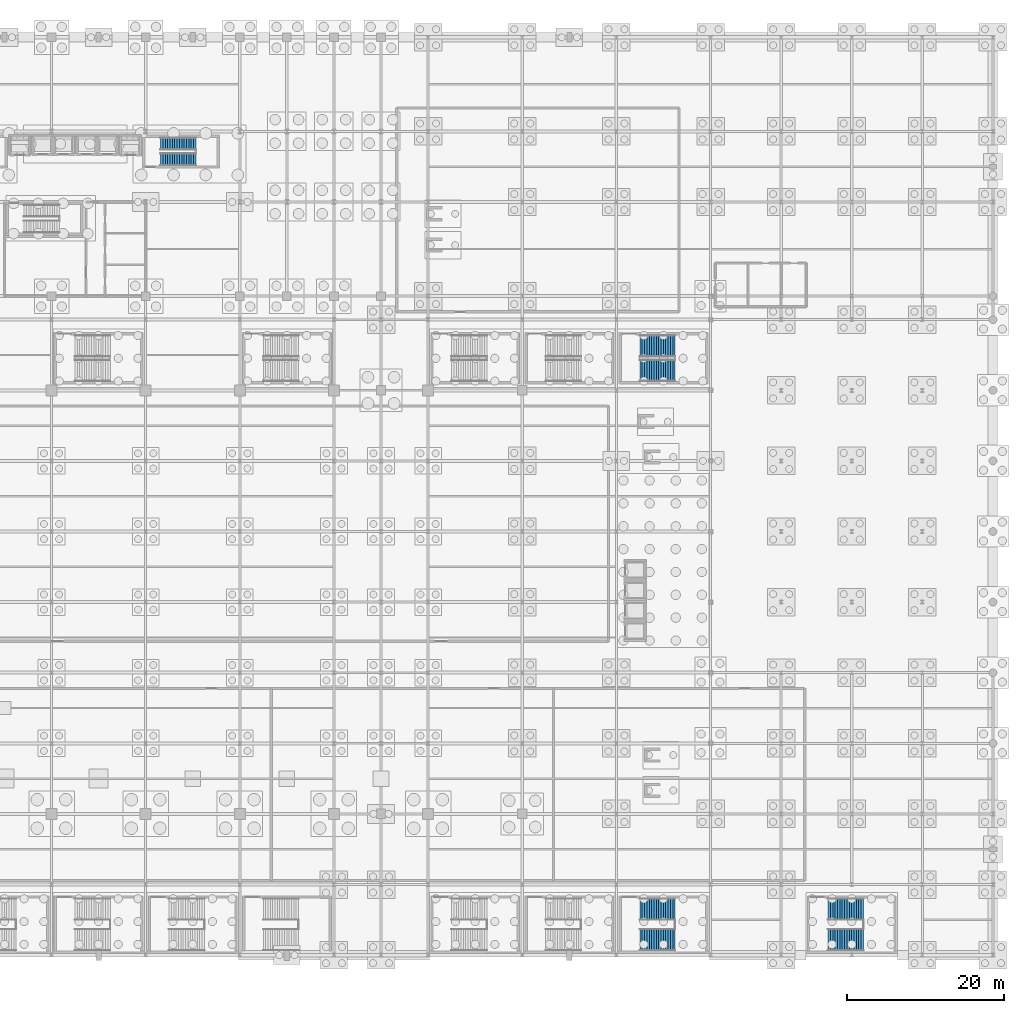
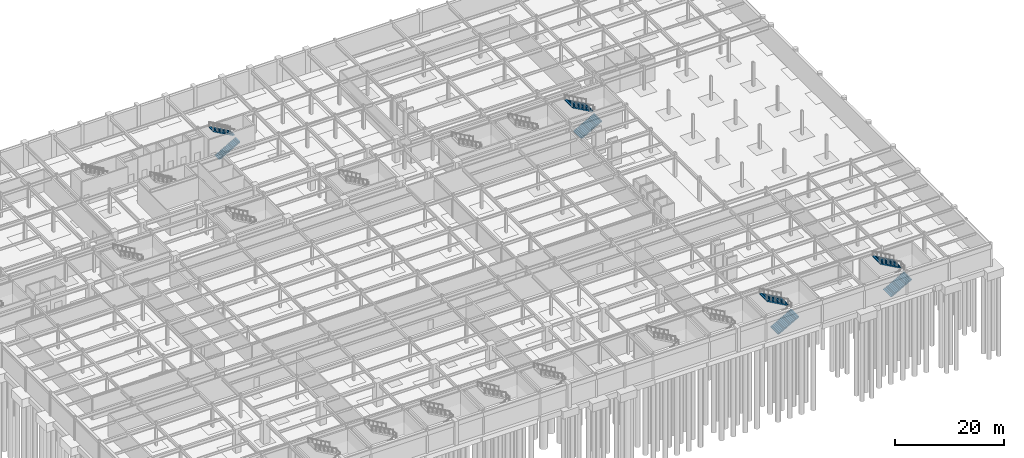
# One storey, part 38 of 47: 8 stair flights, 4 elements without a shape of their own.
"""IFC4 building model written with IfcOpenShell, lengths in metres."""

import ifcopenshell
import ifcopenshell.guid

model = None  # the IFC model being written
_history = None  # IfcOwnerHistory: only IFC2X3 demands one
_inside = {}  # id of a spatial element -> (the spatial element, [elements in it])
_under = {}  # id of a project, library or spatial element -> (it, [spatial elements below it])
_declared = {}  # id of a project -> (the project, [libraries it declares])
_typed = {}  # id of a type object -> (the type object, [elements of that type])
_made_of = {}  # id of a material, layer set ... -> (it, [elements and type objects made of it])


def new_model(schema):
    """Start an empty IFC model of exactly this schema.

    Asked for "IFC4X3", IfcOpenShell would pick the latest addendum, in which some entities
    have other attributes; the version numbers below select the first issue.
    IFC2X3 requires an IfcOwnerHistory on every rooted entity: one is made here for all.
    """
    global model, _history
    if schema == "IFC4X3":
        model = ifcopenshell.file(schema_version=(4, 3, 0, 0))
    else:
        model = ifcopenshell.file(schema=schema)
    _inside.clear()
    _under.clear()
    _declared.clear()
    _typed.clear()
    _made_of.clear()
    _history = None
    if model.schema == "IFC2X3":
        org = make("IfcOrganization", Name="unknown")
        user = make(
            "IfcPersonAndOrganization",
            ThePerson=make("IfcPerson", FamilyName="unknown"),
            TheOrganization=org,
        )
        app = make(
            "IfcApplication",
            ApplicationDeveloper=org,
            Version="unknown",
            ApplicationFullName="unknown",
            ApplicationIdentifier="unknown",
        )
        _history = make(
            "IfcOwnerHistory",
            OwningUser=user,
            OwningApplication=app,
            ChangeAction="ADDED",
            CreationDate=0,
        )
    return model


def make(cls, **values):
    """One entity of the class cls with the attributes given. An attribute that is None is left unset."""
    return model.create_entity(
        cls, **{name: value for name, value in values.items() if value is not None}
    )


def rooted(cls, **values):
    """An entity with a GlobalId (a new one), such as an element, a storey or a relation."""
    return make(cls, GlobalId=ifcopenshell.guid.new(), OwnerHistory=_history, **values)


def si_unit(unit_type, name, prefix=None):
    """IfcSIUnit, for example si_unit("LENGTHUNIT", "METRE", prefix="MILLI")."""
    return make("IfcSIUnit", UnitType=unit_type, Prefix=prefix, Name=name)


def assignment(units):
    """IfcUnitAssignment: the units of a project."""
    return None if units is None else make("IfcUnitAssignment", Units=units)


def point(xyz):
    """IfcCartesianPoint."""
    return None if xyz is None else make("IfcCartesianPoint", Coordinates=xyz)


def direction(xyz):
    """IfcDirection."""
    return None if xyz is None else make("IfcDirection", DirectionRatios=xyz)


def frame(location, z_axis=None, x_axis=None):
    """IfcAxis2Placement3D, a coordinate frame: its origin and axes. An axis left out is left unset."""
    return make(
        "IfcAxis2Placement3D",
        Location=point(location),
        Axis=direction(z_axis),
        RefDirection=direction(x_axis),
    )


def origin():
    """The frame at (0, 0, 0) with its axes left unset."""
    return frame((0.0, 0.0, 0.0))


def place(relative_to, where):
    """IfcLocalPlacement: puts the frame where relative to a parent placement (None: the world)."""
    return make(
        "IfcLocalPlacement", PlacementRelTo=relative_to, RelativePlacement=where
    )


def context(
    kind, dimensions, precision=None, world=None, true_north=None, identifier=None
):
    """IfcGeometricRepresentationContext, for example the 3D "Model" context."""
    return make(
        "IfcGeometricRepresentationContext",
        ContextIdentifier=identifier,
        ContextType=kind,
        CoordinateSpaceDimension=dimensions,
        Precision=precision,
        WorldCoordinateSystem=world,
        TrueNorth=true_north,
    )


def subcontext(parent, identifier, kind, view, scale=None):
    """IfcGeometricRepresentationSubContext, for example "Body" below "Model"."""
    return make(
        "IfcGeometricRepresentationSubContext",
        ContextIdentifier=identifier,
        ContextType=kind,
        ParentContext=parent,
        TargetScale=scale,
        TargetView=view,
    )


def project(units=None, contexts=None):
    """IfcProject with its units and contexts."""
    return rooted(
        "IfcProject",
        Name="project",
        RepresentationContexts=contexts,
        UnitsInContext=assignment(units),
    )


def spatial(cls, under=None, at=None, **own):
    """A site, building, storey or space (cls), placed at a placement, below another one or the project."""
    s = rooted(cls, ObjectPlacement=at, **own)
    if under is not None:
        _under.setdefault(under.id(), (under, []))[1].append(s)
    return s


def polyline(points):
    """IfcPolyline through the points."""
    return make("IfcPolyline", Points=[point(p) for p in points])


def outline(outer, holes=None, kind="AREA"):
    """IfcArbitraryClosedProfileDef: a profile drawn as a closed curve; with holes, ...WithVoids."""
    if holes is None:
        return make("IfcArbitraryClosedProfileDef", ProfileType=kind, OuterCurve=outer)
    return make(
        "IfcArbitraryProfileDefWithVoids",
        ProfileType=kind,
        OuterCurve=outer,
        InnerCurves=holes,
    )


def extrude(swept, where, along, depth):
    """IfcExtrudedAreaSolid: the profile swept, set in the frame where, extruded along a direction by depth."""
    return make(
        "IfcExtrudedAreaSolid",
        SweptArea=swept,
        Position=where,
        ExtrudedDirection=direction(along),
        Depth=depth,
    )


def shape(context_of_items, identifier, shape_type, items):
    """IfcShapeRepresentation: the items that make up one representation, for example the "Body"."""
    return make(
        "IfcShapeRepresentation",
        ContextOfItems=context_of_items,
        RepresentationIdentifier=identifier,
        RepresentationType=shape_type,
        Items=items,
    )


def material(Name=None, Category=None):
    """IfcMaterial."""
    return make("IfcMaterial", Name=Name, Category=Category)


def made_of(thing, what):
    """Note that an element or type object is made of a material, layer set ...; save() writes the relation."""
    if what is not None:
        _made_of.setdefault(what.id(), (what, []))[1].append(thing)
    return thing


def type_object(cls, material=None, **own):
    """A type object (cls), such as IfcWallType, which elements share."""
    return made_of(rooted(cls, **own), material)


def element(
    cls,
    number,
    at=None,
    inside=None,
    cuts=None,
    type_object=None,
    material=None,
    context=None,
    identifier="Body",
    shape_type=None,
    held_by="IfcProductDefinitionShape",
    body=None,
    shapes=None,
    **own,
):
    """One element of the class cls, such as IfcWall. Its Tag is "e" and its number.

    at: its placement. inside: the storey or other place that contains it. cuts: it is an
    opening in that element (IfcRelVoidsElement). A single representation is given by context,
    identifier, shape_type and body (its items); several are given by shapes. held_by: the class
    of the entity that holds the representations. save() writes the other relations.
    """
    e = rooted(cls, Tag="e%d" % number, ObjectPlacement=at, **own)
    if body is not None:
        shapes = [shape(context, identifier, shape_type, body)]
    if shapes is not None:
        e.Representation = make(held_by, Representations=shapes)
    if inside is not None:
        _inside.setdefault(inside.id(), (inside, []))[1].append(e)
    if cuts is not None:
        rooted(
            "IfcRelVoidsElement", RelatingBuildingElement=cuts, RelatedOpeningElement=e
        )
    if type_object is not None:
        _typed.setdefault(type_object.id(), (type_object, []))[1].append(e)
    return made_of(e, material)


def aggregate(whole, parts):
    """IfcRelAggregates: a whole, such as a stair, and the parts it consists of."""
    return rooted("IfcRelAggregates", RelatingObject=whole, RelatedObjects=parts)


def save(model, path):
    """Write the relations noted so far, then the file.

    IfcRelAggregates (storeys below a building ...), IfcRelContainedInSpatialStructure (elements
    in a storey), IfcRelDefinesByType, IfcRelAssociatesMaterial and IfcRelDeclares: one each for
    every whole, place, type object, material and project.
    """
    for whole, parts in _under.values():
        aggregate(whole, parts)
    for where, things in _inside.values():
        rooted(
            "IfcRelContainedInSpatialStructure",
            RelatedElements=things,
            RelatingStructure=where,
        )
    for kind, things in _typed.values():
        rooted("IfcRelDefinesByType", RelatedObjects=things, RelatingType=kind)
    for what, things in _made_of.values():
        rooted("IfcRelAssociatesMaterial", RelatedObjects=things, RelatingMaterial=what)
    for by, libraries in _declared.values():
        rooted("IfcRelDeclares", RelatingContext=by, RelatedDefinitions=libraries)
    model.write(path)


model = new_model("IFC4")

# Units and contexts
model_context = context("Model", 3, precision=1e-05, world=origin(), true_north=direction((0.0, 1.0)))
body_context = subcontext(model_context, "Body", "Model", "MODEL_VIEW")
ifc_project = project(units=[si_unit("LENGTHUNIT", "METRE"), si_unit("AREAUNIT", "SQUARE_METRE"), si_unit("VOLUMEUNIT", "CUBIC_METRE"), si_unit("PLANEANGLEUNIT", "RADIAN"), si_unit("MASSUNIT", "GRAM", prefix="KILO")], contexts=[model_context])

# Site, building, storey
site_placement = place(None, origin())
site = spatial("IfcSite", under=ifc_project, at=site_placement, CompositionType="ELEMENT")
building_placement = place(site_placement, origin())
building = spatial("IfcBuilding", under=site, at=building_placement, Name="Kaldorvane Square Convention Centre", CompositionType="ELEMENT")
storey_placement = place(building_placement, frame((0.0, 0.0, -5.399993896484375)))
storey = spatial("IfcBuildingStorey", under=building, at=storey_placement, Name="B01", CompositionType="ELEMENT", Elevation=-5.399993896484375)

# Stair, stair flights
ifc_material = material(Name="Concrete f'c = 42 MPa (Normalweight)", Category="concrete")
stair_type_1 = type_object("IfcStairType", Name="ST-DL-1600-5400", PredefinedType="HALF_TURN_STAIR", material=ifc_material)
stair_1_placement = place(storey_placement, origin())
stair_1 = element("IfcStair", 1, at=stair_1_placement, inside=storey, type_object=stair_type_1, Name="Tower Exit Stair T2 (B01)", PredefinedType="HALF_TURN_STAIR")
stair_flight_type_1 = type_object("IfcStairFlightType", Name="SF-STR-1600-16R", PredefinedType="STRAIGHT", material=ifc_material)
stair_flight_1_placement = place(storey_placement, frame((67.89999389648438, 101.41000366210938, 0.0), z_axis=(0.0, 0.0, 1.0), x_axis=(1.0, 0.0, 0.0)))
stair_flight_1 = element("IfcStairFlight", 2, at=stair_flight_1_placement, type_object=stair_flight_type_1, Name="Tower Exit Stair T2 Flight 1 (B01)", NumberOfRisers=16, NumberOfTreads=15, PredefinedType="STRAIGHT", RiserHeight=0.16875, TreadLength=0.3, context=body_context, shape_type="SweptSolid", body=[
    extrude(outline(polyline([(0.0, 0.0), (0.0, 0.1687469482421875), (0.3000030517578125, 0.1687469482421875), (0.3000030517578125, 0.337493896484375), (0.600006103515625, 0.337493896484375), (0.600006103515625, 0.506256103515625), (0.899993896484375, 0.506256103515625), (0.899993896484375, 0.6750030517578125), (1.1999969482421875, 0.6750030517578125), (1.1999969482421875, 0.84375), (1.5, 0.84375), (1.5, 1.0124969482421875), (1.8000030517578125, 1.0124969482421875), (1.8000030517578125, 1.181243896484375), (2.100006103515625, 1.181243896484375), (2.100006103515625, 1.350006103515625), (2.399993896484375, 1.350006103515625), (2.399993896484375, 1.5187530517578125), (2.6999969482421875, 1.5187530517578125), (2.6999969482421875, 1.6875), (3.0, 1.6875), (3.0, 1.8562469482421875), (3.3000030517578125, 1.8562469482421875), (3.3000030517578125, 2.024993896484375), (3.600006103515625, 2.024993896484375), (3.600006103515625, 2.193756103515625), (3.899993896484375, 2.193756103515625), (3.899993896484375, 2.3625030517578125), (4.1999969482421875, 2.3625030517578125), (4.1999969482421875, 2.53125), (4.5, 2.53125), (4.5, 2.6999969482421875), (4.5, 2.301788330078125), (0.4079437255859375, 0.0), (0.0, 0.0)])), frame((0.0, 0.8000030517578125, 0.0), z_axis=(0.0, -1.0, 0.0), x_axis=(1.0, 0.0, 0.0)), (0.0, 0.0, 1.0), 1.600006103515625),
])
stair_flight_2_placement = place(storey_placement, frame((72.39999389648438, 103.44999694824219, 2.6999969482421875), z_axis=(0.0, 0.0, 1.0), x_axis=(-1.0, 0.0, 0.0)))
stair_flight_2 = element("IfcStairFlight", 3, at=stair_flight_2_placement, type_object=stair_flight_type_1, Name="Tower Exit Stair T2 Flight 2 (B01)", NumberOfRisers=16, NumberOfTreads=15, PredefinedType="STRAIGHT", RiserHeight=0.16875, TreadLength=0.3, context=body_context, shape_type="SweptSolid", body=[
    extrude(outline(polyline([(0.0, 0.0), (0.0, 0.1687469482421875), (0.3000030517578125, 0.1687469482421875), (0.3000030517578125, 0.337493896484375), (0.600006103515625, 0.337493896484375), (0.600006103515625, 0.506256103515625), (0.899993896484375, 0.506256103515625), (0.899993896484375, 0.6750030517578125), (1.1999969482421875, 0.6750030517578125), (1.1999969482421875, 0.84375), (1.5, 0.84375), (1.5, 1.0124969482421875), (1.8000030517578125, 1.0124969482421875), (1.8000030517578125, 1.181243896484375), (2.100006103515625, 1.181243896484375), (2.100006103515625, 1.350006103515625), (2.399993896484375, 1.350006103515625), (2.399993896484375, 1.5187530517578125), (2.6999969482421875, 1.5187530517578125), (2.6999969482421875, 1.6875), (3.0, 1.6875), (3.0, 1.8562469482421875), (3.3000030517578125, 1.8562469482421875), (3.3000030517578125, 2.024993896484375), (3.600006103515625, 2.024993896484375), (3.600006103515625, 2.193756103515625), (3.899993896484375, 2.193756103515625), (3.899993896484375, 2.3625030517578125), (4.1999969482421875, 2.3625030517578125), (4.1999969482421875, 2.53125), (4.5, 2.53125), (4.5, 2.6999969482421875), (4.5, 2.301788330078125), (0.4079437255859375, 0.0), (0.0, 0.0)])), frame((0.0, 0.8000030517578125, 0.0), z_axis=(0.0, -1.0, 0.0), x_axis=(1.0, 0.0, 0.0)), (0.0, 0.0, 1.0), 1.600006103515625),
])
aggregate(stair_1, [stair_flight_1, stair_flight_2])

stair_type_2 = type_object("IfcStairType", Name="ST-DL-2800-5400-D6710", PredefinedType="HALF_TURN_STAIR", material=ifc_material)
stair_2_placement = place(storey_placement, origin())
stair_2 = element("IfcStair", 4, at=stair_2_placement, inside=storey, type_object=stair_type_2, Name="Convention Exit Stair C10 (B01)", PredefinedType="HALF_TURN_STAIR")
stair_flight_type_2 = type_object("IfcStairFlightType", Name="SF-STR-2800-16R", PredefinedType="STRAIGHT", material=ifc_material)
stair_flight_3_placement = place(storey_placement, frame((128.99000549316406, 1.9499969482421875, 0.0), z_axis=(0.0, 0.0, 1.0), x_axis=(1.0, 0.0, 0.0)))
stair_flight_3 = element("IfcStairFlight", 5, at=stair_flight_3_placement, type_object=stair_flight_type_2, Name="Convention Exit Stair C10 Flight 1 (B01)", NumberOfRisers=16, NumberOfTreads=15, PredefinedType="STRAIGHT", RiserHeight=0.16875, TreadLength=0.3, context=body_context, shape_type="SweptSolid", body=[
    extrude(outline(polyline([(0.0, 0.0), (0.0, 0.1687469482421875), (0.3000030517578125, 0.1687469482421875), (0.3000030517578125, 0.337493896484375), (0.600006103515625, 0.337493896484375), (0.600006103515625, 0.506256103515625), (0.899993896484375, 0.506256103515625), (0.899993896484375, 0.6750030517578125), (1.1999969482421875, 0.6750030517578125), (1.1999969482421875, 0.84375), (1.5, 0.84375), (1.5, 1.0124969482421875), (1.8000030517578125, 1.0124969482421875), (1.8000030517578125, 1.181243896484375), (2.100006103515625, 1.181243896484375), (2.100006103515625, 1.350006103515625), (2.399993896484375, 1.350006103515625), (2.399993896484375, 1.5187530517578125), (2.6999969482421875, 1.5187530517578125), (2.6999969482421875, 1.6875), (3.0, 1.6875), (3.0, 1.8562469482421875), (3.3000030517578125, 1.8562469482421875), (3.3000030517578125, 2.024993896484375), (3.600006103515625, 2.024993896484375), (3.600006103515625, 2.193756103515625), (3.899993896484375, 2.193756103515625), (3.899993896484375, 2.3625030517578125), (4.1999969482421875, 2.3625030517578125), (4.1999969482421875, 2.53125), (4.5, 2.53125), (4.5, 2.6999969482421875), (4.5, 2.301788330078125), (0.4079437255859375, 0.0), (0.0, 0.0)])), frame((0.0, 1.399993896484375, 0.0), z_axis=(0.0, -1.0, 0.0), x_axis=(1.0, 0.0, 0.0)), (0.0, 0.0, 1.0), 2.8000030517578125),
])
stair_flight_4_placement = place(storey_placement, frame((133.49000549316406, 5.8600006103515625, 2.6999969482421875), z_axis=(0.0, 0.0, 1.0), x_axis=(-1.0, 0.0, 0.0)))
stair_flight_4 = element("IfcStairFlight", 6, at=stair_flight_4_placement, type_object=stair_flight_type_2, Name="Convention Exit Stair C10 Flight 2 (B01)", NumberOfRisers=16, NumberOfTreads=15, PredefinedType="STRAIGHT", RiserHeight=0.16875, TreadLength=0.3, context=body_context, shape_type="SweptSolid", body=[
    extrude(outline(polyline([(0.0, 0.0), (0.0, 0.1687469482421875), (0.3000030517578125, 0.1687469482421875), (0.3000030517578125, 0.337493896484375), (0.600006103515625, 0.337493896484375), (0.600006103515625, 0.506256103515625), (0.899993896484375, 0.506256103515625), (0.899993896484375, 0.6750030517578125), (1.1999969482421875, 0.6750030517578125), (1.1999969482421875, 0.84375), (1.5, 0.84375), (1.5, 1.0124969482421875), (1.8000030517578125, 1.0124969482421875), (1.8000030517578125, 1.181243896484375), (2.100006103515625, 1.181243896484375), (2.100006103515625, 1.350006103515625), (2.399993896484375, 1.350006103515625), (2.399993896484375, 1.5187530517578125), (2.6999969482421875, 1.5187530517578125), (2.6999969482421875, 1.6875), (3.0, 1.6875), (3.0, 1.8562469482421875), (3.3000030517578125, 1.8562469482421875), (3.3000030517578125, 2.024993896484375), (3.600006103515625, 2.024993896484375), (3.600006103515625, 2.193756103515625), (3.899993896484375, 2.193756103515625), (3.899993896484375, 2.3625030517578125), (4.1999969482421875, 2.3625030517578125), (4.1999969482421875, 2.53125), (4.5, 2.53125), (4.5, 2.6999969482421875), (4.5, 2.301788330078125), (0.4079437255859375, 0.0), (0.0, 0.0)])), frame((0.0, 1.399993896484375, 0.0), z_axis=(0.0, -1.0, 0.0), x_axis=(1.0, 0.0, 0.0)), (0.0, 0.0, 1.0), 2.8000030517578125),
])
aggregate(stair_2, [stair_flight_3, stair_flight_4])

stair_3_placement = place(storey_placement, origin())
stair_3 = element("IfcStair", 7, at=stair_3_placement, inside=storey, type_object=stair_type_2, Name="Convention Exit Stair C11 (B01)", PredefinedType="HALF_TURN_STAIR")
stair_flight_5_placement = place(storey_placement, frame((152.99000549316406, 1.9499969482421875, 0.0), z_axis=(0.0, 0.0, 1.0), x_axis=(1.0, 0.0, 0.0)))
stair_flight_5 = element("IfcStairFlight", 8, at=stair_flight_5_placement, type_object=stair_flight_type_2, Name="Convention Exit Stair C11 Flight 1 (B01)", NumberOfRisers=16, NumberOfTreads=15, PredefinedType="STRAIGHT", RiserHeight=0.16875, TreadLength=0.3, context=body_context, shape_type="SweptSolid", body=[
    extrude(outline(polyline([(0.0, 0.0), (0.0, 0.1687469482421875), (0.3000030517578125, 0.1687469482421875), (0.3000030517578125, 0.337493896484375), (0.600006103515625, 0.337493896484375), (0.600006103515625, 0.506256103515625), (0.899993896484375, 0.506256103515625), (0.899993896484375, 0.6750030517578125), (1.1999969482421875, 0.6750030517578125), (1.1999969482421875, 0.84375), (1.5, 0.84375), (1.5, 1.0124969482421875), (1.8000030517578125, 1.0124969482421875), (1.8000030517578125, 1.181243896484375), (2.100006103515625, 1.181243896484375), (2.100006103515625, 1.350006103515625), (2.399993896484375, 1.350006103515625), (2.399993896484375, 1.5187530517578125), (2.6999969482421875, 1.5187530517578125), (2.6999969482421875, 1.6875), (3.0, 1.6875), (3.0, 1.8562469482421875), (3.3000030517578125, 1.8562469482421875), (3.3000030517578125, 2.024993896484375), (3.600006103515625, 2.024993896484375), (3.600006103515625, 2.193756103515625), (3.899993896484375, 2.193756103515625), (3.899993896484375, 2.3625030517578125), (4.1999969482421875, 2.3625030517578125), (4.1999969482421875, 2.53125), (4.5, 2.53125), (4.5, 2.6999969482421875), (4.5, 2.301788330078125), (0.4079437255859375, 0.0), (0.0, 0.0)])), frame((0.0, 1.399993896484375, 0.0), z_axis=(0.0, -1.0, 0.0), x_axis=(1.0, 0.0, 0.0)), (0.0, 0.0, 1.0), 2.8000030517578125),
])
stair_flight_6_placement = place(storey_placement, frame((157.49000549316406, 5.8600006103515625, 2.6999969482421875), z_axis=(0.0, 0.0, 1.0), x_axis=(-1.0, 0.0, 0.0)))
stair_flight_6 = element("IfcStairFlight", 9, at=stair_flight_6_placement, type_object=stair_flight_type_2, Name="Convention Exit Stair C11 Flight 2 (B01)", NumberOfRisers=16, NumberOfTreads=15, PredefinedType="STRAIGHT", RiserHeight=0.16875, TreadLength=0.3, context=body_context, shape_type="SweptSolid", body=[
    extrude(outline(polyline([(0.0, 0.0), (0.0, 0.1687469482421875), (0.3000030517578125, 0.1687469482421875), (0.3000030517578125, 0.337493896484375), (0.600006103515625, 0.337493896484375), (0.600006103515625, 0.506256103515625), (0.899993896484375, 0.506256103515625), (0.899993896484375, 0.6750030517578125), (1.1999969482421875, 0.6750030517578125), (1.1999969482421875, 0.84375), (1.5, 0.84375), (1.5, 1.0124969482421875), (1.8000030517578125, 1.0124969482421875), (1.8000030517578125, 1.181243896484375), (2.100006103515625, 1.181243896484375), (2.100006103515625, 1.350006103515625), (2.399993896484375, 1.350006103515625), (2.399993896484375, 1.5187530517578125), (2.6999969482421875, 1.5187530517578125), (2.6999969482421875, 1.6875), (3.0, 1.6875), (3.0, 1.8562469482421875), (3.3000030517578125, 1.8562469482421875), (3.3000030517578125, 2.024993896484375), (3.600006103515625, 2.024993896484375), (3.600006103515625, 2.193756103515625), (3.899993896484375, 2.193756103515625), (3.899993896484375, 2.3625030517578125), (4.1999969482421875, 2.3625030517578125), (4.1999969482421875, 2.53125), (4.5, 2.53125), (4.5, 2.6999969482421875), (4.5, 2.301788330078125), (0.4079437255859375, 0.0), (0.0, 0.0)])), frame((0.0, 1.399993896484375, 0.0), z_axis=(0.0, -1.0, 0.0), x_axis=(1.0, 0.0, 0.0)), (0.0, 0.0, 1.0), 2.8000030517578125),
])
aggregate(stair_3, [stair_flight_5, stair_flight_6])

stair_type_3 = type_object("IfcStairType", Name="ST-DL-2800-5400", PredefinedType="HALF_TURN_STAIR", material=ifc_material)
stair_4_placement = place(storey_placement, origin())
stair_4 = element("IfcStair", 10, at=stair_4_placement, inside=storey, type_object=stair_type_3, Name="Convention Exit Stair C18 (B01)", PredefinedType="HALF_TURN_STAIR")
stair_flight_7_placement = place(storey_placement, frame((128.99000549316406, 74.5, 0.0), z_axis=(0.0, 0.0, 1.0), x_axis=(1.0, 0.0, 0.0)))
stair_flight_7 = element("IfcStairFlight", 11, at=stair_flight_7_placement, type_object=stair_flight_type_2, Name="Convention Exit Stair C18 Flight 1 (B01)", NumberOfRisers=16, NumberOfTreads=15, PredefinedType="STRAIGHT", RiserHeight=0.16875, TreadLength=0.3, context=body_context, shape_type="SweptSolid", body=[
    extrude(outline(polyline([(0.0, 0.0), (0.0, 0.1687469482421875), (0.3000030517578125, 0.1687469482421875), (0.3000030517578125, 0.337493896484375), (0.600006103515625, 0.337493896484375), (0.600006103515625, 0.506256103515625), (0.899993896484375, 0.506256103515625), (0.899993896484375, 0.6750030517578125), (1.1999969482421875, 0.6750030517578125), (1.1999969482421875, 0.84375), (1.5, 0.84375), (1.5, 1.0124969482421875), (1.8000030517578125, 1.0124969482421875), (1.8000030517578125, 1.181243896484375), (2.100006103515625, 1.181243896484375), (2.100006103515625, 1.350006103515625), (2.399993896484375, 1.350006103515625), (2.399993896484375, 1.5187530517578125), (2.6999969482421875, 1.5187530517578125), (2.6999969482421875, 1.6875), (3.0, 1.6875), (3.0, 1.8562469482421875), (3.3000030517578125, 1.8562469482421875), (3.3000030517578125, 2.024993896484375), (3.600006103515625, 2.024993896484375), (3.600006103515625, 2.193756103515625), (3.899993896484375, 2.193756103515625), (3.899993896484375, 2.3625030517578125), (4.1999969482421875, 2.3625030517578125), (4.1999969482421875, 2.53125), (4.5, 2.53125), (4.5, 2.6999969482421875), (4.5, 2.301788330078125), (0.4079437255859375, 0.0), (0.0, 0.0)])), frame((0.0, 1.399993896484375, 0.0), z_axis=(0.0, -1.0, 0.0), x_axis=(1.0, 0.0, 0.0)), (0.0, 0.0, 1.0), 2.8000030517578125),
])
stair_flight_8_placement = place(storey_placement, frame((133.49000549316406, 77.66000366210938, 2.6999969482421875), z_axis=(0.0, 0.0, 1.0), x_axis=(-1.0, 0.0, 0.0)))
stair_flight_8 = element("IfcStairFlight", 12, at=stair_flight_8_placement, type_object=stair_flight_type_2, Name="Convention Exit Stair C18 Flight 2 (B01)", NumberOfRisers=16, NumberOfTreads=15, PredefinedType="STRAIGHT", RiserHeight=0.16875, TreadLength=0.3, context=body_context, shape_type="SweptSolid", body=[
    extrude(outline(polyline([(0.0, 0.0), (0.0, 0.1687469482421875), (0.3000030517578125, 0.1687469482421875), (0.3000030517578125, 0.337493896484375), (0.600006103515625, 0.337493896484375), (0.600006103515625, 0.506256103515625), (0.899993896484375, 0.506256103515625), (0.899993896484375, 0.6750030517578125), (1.1999969482421875, 0.6750030517578125), (1.1999969482421875, 0.84375), (1.5, 0.84375), (1.5, 1.0124969482421875), (1.8000030517578125, 1.0124969482421875), (1.8000030517578125, 1.181243896484375), (2.100006103515625, 1.181243896484375), (2.100006103515625, 1.350006103515625), (2.399993896484375, 1.350006103515625), (2.399993896484375, 1.5187530517578125), (2.6999969482421875, 1.5187530517578125), (2.6999969482421875, 1.6875), (3.0, 1.6875), (3.0, 1.8562469482421875), (3.3000030517578125, 1.8562469482421875), (3.3000030517578125, 2.024993896484375), (3.600006103515625, 2.024993896484375), (3.600006103515625, 2.193756103515625), (3.899993896484375, 2.193756103515625), (3.899993896484375, 2.3625030517578125), (4.1999969482421875, 2.3625030517578125), (4.1999969482421875, 2.53125), (4.5, 2.53125), (4.5, 2.6999969482421875), (4.5, 2.301788330078125), (0.4079437255859375, 0.0), (0.0, 0.0)])), frame((0.0, 1.399993896484375, 0.0), z_axis=(0.0, -1.0, 0.0), x_axis=(1.0, 0.0, 0.0)), (0.0, 0.0, 1.0), 2.8000030517578125),
])
aggregate(stair_4, [stair_flight_7, stair_flight_8])

save(model, "model.ifc")
